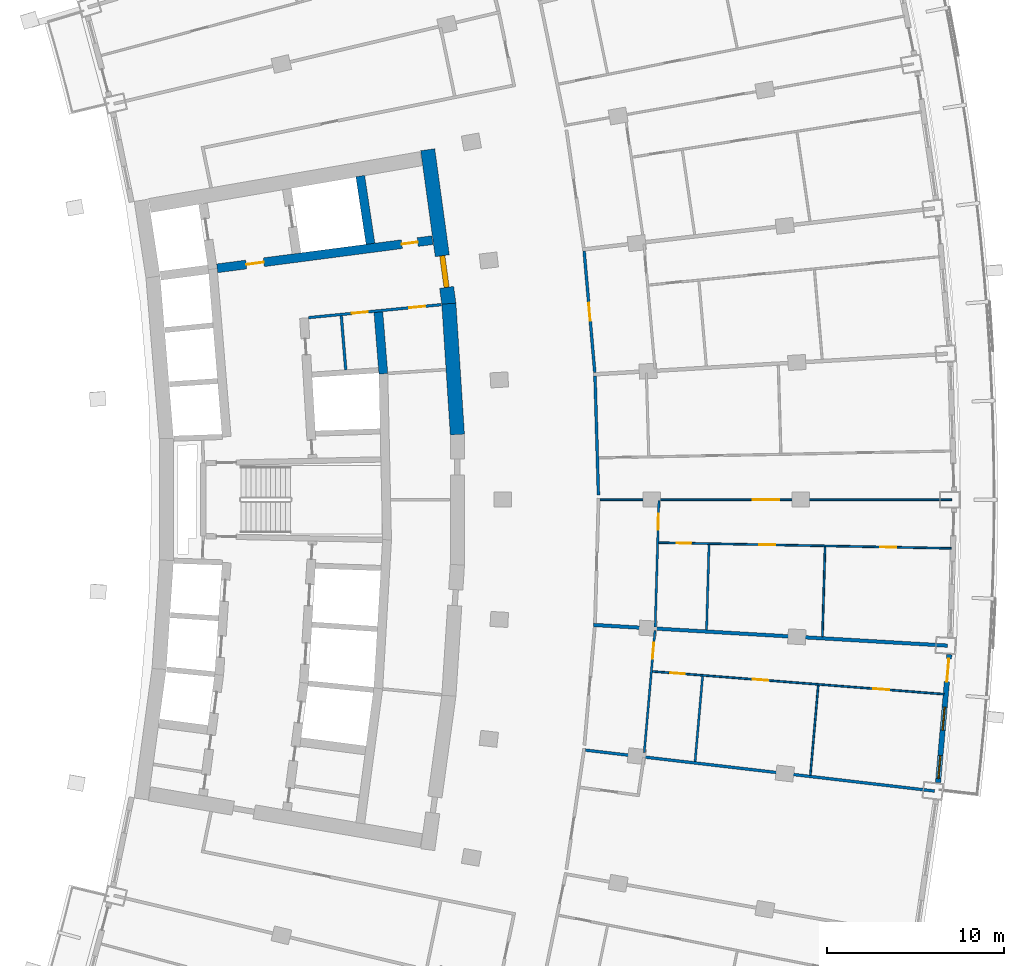
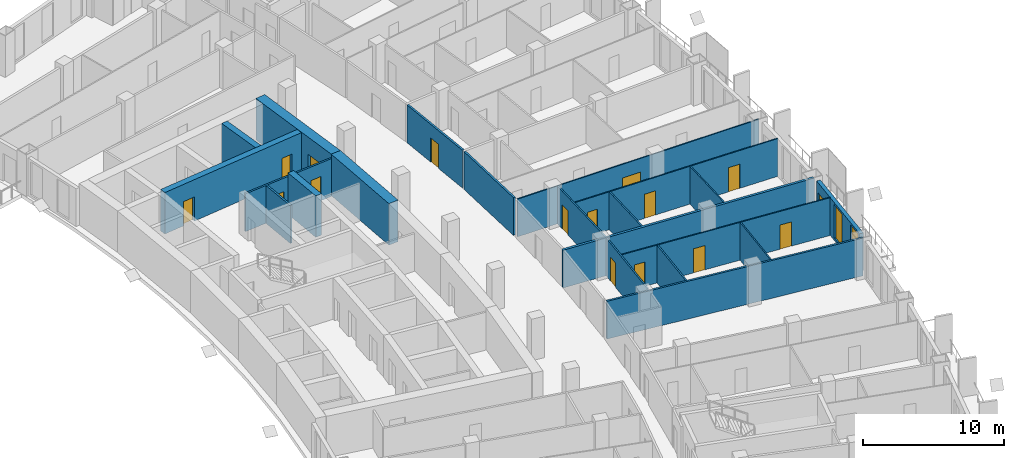
# One storey, part 17 of 25: 21 walls, 16 doors, 2 windows, 18 openings.
"""IFC4 building model written with IfcOpenShell, lengths in metres."""

from ifc_helpers import new_model, si_unit, direction, frame, frame_2d, origin, place, context, subcontext, project, spatial, rectangle, extrude, material, layer, layer_set, type_object, element, fill, save


model = new_model("IFC4")

# Units and contexts
model_context = context("Model", 3, precision=1e-05, world=origin(), true_north=direction((0.0, 1.0)))
body_context = subcontext(model_context, "Body", "Model", "MODEL_VIEW")
ifc_project = project(units=[si_unit("LENGTHUNIT", "METRE"), si_unit("AREAUNIT", "SQUARE_METRE"), si_unit("VOLUMEUNIT", "CUBIC_METRE"), si_unit("PLANEANGLEUNIT", "RADIAN"), si_unit("MASSUNIT", "GRAM", prefix="KILO")], contexts=[model_context])

# Site, building, storey
site_placement = place(None, origin())
site = spatial("IfcSite", under=ifc_project, at=site_placement, CompositionType="ELEMENT")
building_placement = place(site_placement, origin())
building = spatial("IfcBuilding", under=site, at=building_placement, Name="Alderwake Tower", CompositionType="ELEMENT")
storey_placement = place(building_placement, frame((0.0, 0.0, 111.199951171875)))
storey = spatial("IfcBuildingStorey", under=building, at=storey_placement, Name="L27", CompositionType="ELEMENT", Elevation=111.199951171875)

# Wall
ifc_material_1 = material(Name="Gypsum shaft wall system, rated")
ifc_layer_1 = layer(ifc_material_1, 0.14990234375)
ifc_layer_set_1 = layer_set([ifc_layer_1], Name="Core room partition 150")
wall_type_1 = type_object("IfcWallType", Name="Core room partition 150", PredefinedType="PARTITIONING", material=ifc_layer_set_1)
wall_1_placement = place(storey_placement, frame((26.94970703125, 68.3203125, 0.0), z_axis=(0.0, 0.0, 1.0), x_axis=(-0.082463525817, 0.996594083321, 0.0)))
element("IfcWall", 1, at=wall_1_placement, inside=storey, type_object=wall_type_1, Name="CW/L27/PA+107_+70", PredefinedType="PARTITIONING", context=body_context, shape_type="SweptSolid", body=[
    extrude(rectangle(XDim=3.055419921875, YDim=0.14990234375, at=frame_2d((1.52783203125, 0.0))), origin(), (0.0, 0.0, 1.0), 3.280029296875),
])

# Wall, openings, doors
wall_2_placement = place(storey_placement, frame((32.333251953125, 71.991943359375, 0.0), z_axis=(0.0, 0.0, 1.0), x_axis=(-0.995248348328, -0.097369015353, 0.0)))
wall_2 = element("IfcWall", 2, at=wall_2_placement, inside=storey, type_object=wall_type_1, Name="CW/L27/PR+102_+86", PredefinedType="PARTITIONING", context=body_context, shape_type="SweptSolid", body=[
    extrude(rectangle(XDim=7.51953125, YDim=0.14990234375, at=frame_2d((3.759765625, 0.0))), origin(), (0.0, 0.0, 1.0), 3.280029296875),
])
opening_1_placement = place(wall_2_placement, frame((4.169921875, 0.0, 0.0)))
opening_1 = element("IfcOpeningElement", 3, at=opening_1_placement, cuts=wall_2, Name="Opening C022", PredefinedType="OPENING", context=body_context, shape_type="SweptSolid", body=[
    extrude(rectangle(XDim=0.89990234375, YDim=2.10009765625, at=frame_2d((0.449951171875, 1.050048828125))), frame((0.0, 0.0849609375, 0.0), z_axis=(0.0, -1.0, 0.0), x_axis=(1.0, 0.0, 0.0)), (0.0, 0.0, 1.0), 0.169921875),
])
opening_2_placement = place(wall_2_placement, frame((0.919921875, 0.0, 0.0)))
opening_2 = element("IfcOpeningElement", 4, at=opening_2_placement, cuts=wall_2, Name="Opening C036", PredefinedType="OPENING", context=body_context, shape_type="SweptSolid", body=[
    extrude(rectangle(XDim=0.89990234375, YDim=2.10009765625, at=frame_2d((0.449951171875, 1.050048828125))), frame((0.0, 0.0849609375, 0.0), z_axis=(0.0, -1.0, 0.0), x_axis=(1.0, 0.0, 0.0)), (0.0, 0.0, 1.0), 0.169921875),
])
ifc_material_2 = material(Name="Painted steel leaf", Category="steel")
door_type_1 = type_object("IfcDoorType", Name="Core room door 900", OperationType="SINGLE_SWING_LEFT", PredefinedType="DOOR", material=ifc_material_2)
door_1_placement = place(opening_1_placement, origin())
door_1 = element("IfcDoor", 5, at=door_1_placement, inside=storey, type_object=door_type_1, Name="Room door", OperationType="SINGLE_SWING_RIGHT", OverallHeight=2.10009765625, OverallWidth=0.89990234375, PredefinedType="DOOR", context=body_context, shape_type="SweptSolid", body=[
    extrude(rectangle(XDim=0.89990234375, YDim=2.10009765625, at=frame_2d((0.449951171875, 1.050048828125))), frame((0.0, 0.02490234375, 0.0), z_axis=(0.0, -1.0, 0.0), x_axis=(1.0, 0.0, 0.0)), (0.0, 0.0, 1.0), 0.050048828125),
])
fill(opening_1, door_1)
door_2_placement = place(opening_2_placement, origin())
door_2 = element("IfcDoor", 6, at=door_2_placement, inside=storey, type_object=door_type_1, Name="Room door", OperationType="SINGLE_SWING_RIGHT", OverallHeight=2.10009765625, OverallWidth=0.89990234375, PredefinedType="DOOR", context=body_context, shape_type="SweptSolid", body=[
    extrude(rectangle(XDim=0.89990234375, YDim=2.10009765625, at=frame_2d((0.449951171875, 1.050048828125))), frame((0.0, 0.02490234375, 0.0), z_axis=(0.0, -1.0, 0.0), x_axis=(1.0, 0.0, 0.0)), (0.0, 0.0, 1.0), 0.050048828125),
])
fill(opening_2, door_2)

# Wall
ifc_material_3 = material(Name="Concrete C70/85", Category="concrete")
ifc_layer_2 = layer(ifc_material_3, 0.800048828125)
ifc_layer_set_2 = layer_set([ifc_layer_2], Name="Core wall outer 800 C70-85")
wall_type_2 = type_object("IfcWallType", Name="Core wall outer 800 C70-85", PredefinedType="SHEAR", material=ifc_layer_set_2)
wall_3_placement = place(storey_placement, frame((33.240966796875, 64.669677734375, 0.0), z_axis=(0.0, 0.0, 1.0), x_axis=(-0.064976219143, 0.997886812693, 0.0)))
element("IfcWall", 7, at=wall_3_placement, inside=storey, type_object=wall_type_2, Name="Core wall CW.010", PredefinedType="SHEAR", context=body_context, shape_type="SweptSolid", body=[
    extrude(rectangle(XDim=7.39453125, YDim=0.800048828125, at=frame_2d((3.697265625, 0.0))), origin(), (0.0, 0.0, 1.0), 3.60009765625),
])

# Wall, opening, door
wall_4_placement = place(storey_placement, frame((31.569580078125, 80.7265625, 0.0), z_axis=(0.0, 0.0, 1.0), x_axis=(0.135838347444, -0.990731014637, 0.0)))
wall_4 = element("IfcWall", 8, at=wall_4_placement, inside=storey, type_object=wall_type_2, Name="Core wall CW.009", PredefinedType="SHEAR", context=body_context, shape_type="SweptSolid", body=[
    extrude(rectangle(XDim=8.788818359375, YDim=0.800048828125, at=frame_2d((4.39453125, 0.0))), origin(), (0.0, 0.0, 1.0), 3.60009765625),
])
opening_3_placement = place(wall_4_placement, frame((6.032958984375, 0.0, 0.0)))
opening_3 = element("IfcOpeningElement", 9, at=opening_3_placement, cuts=wall_4, Name="Opening C001", PredefinedType="OPENING", context=body_context, shape_type="SweptSolid", body=[
    extrude(rectangle(XDim=1.800048828125, YDim=2.10009765625, at=frame_2d((0.89990234375, 1.050048828125))), frame((0.0, 0.409912109375, 0.0), z_axis=(0.0, -1.0, 0.0), x_axis=(1.0, 0.0, 0.0)), (0.0, 0.0, 1.0), 0.820068359375),
])
ifc_material_4 = material(Name="Steel-framed fire door leaves", Category="steel")
door_type_2 = type_object("IfcDoorType", Name="Core double door 1800 fire-rated", OperationType="DOUBLE_DOOR_SINGLE_SWING", PredefinedType="DOOR", material=ifc_material_4)
door_3_placement = place(opening_3_placement, origin())
door_3 = element("IfcDoor", 10, at=door_3_placement, inside=storey, type_object=door_type_2, Name="Lobby double door", OperationType="DOUBLE_DOOR_SINGLE_SWING", OverallHeight=2.10009765625, OverallWidth=1.800048828125, PredefinedType="DOOR", context=body_context, shape_type="SweptSolid", body=[
    extrude(rectangle(XDim=1.800048828125, YDim=2.10009765625, at=frame_2d((0.89990234375, 1.050048828125))), frame((0.0, 0.14990234375, 0.0), z_axis=(0.0, -1.0, 0.0), x_axis=(1.0, 0.0, 0.0)), (0.0, 0.0, 1.0), 0.300048828125),
])
fill(opening_3, door_3)

# Walls
ifc_material_5 = material(Name="Concrete C70/85", Category="concrete")
ifc_layer_3 = layer(ifc_material_5, 0.5)
ifc_layer_set_3 = layer_set([ifc_layer_3], Name="Core wall spine 500 C70-85")
wall_type_3 = type_object("IfcWallType", Name="Core wall spine 500 C70-85", PredefinedType="SHEAR", material=ifc_layer_set_3)
wall_5_placement = place(storey_placement, frame((29.069580078125, 68.094482421875, 0.0), z_axis=(0.0, 0.0, 1.0), x_axis=(-0.080877914698, 0.99672401542, 0.0)))
element("IfcWall", 11, at=wall_5_placement, inside=storey, type_object=wall_type_3, Name="Core wall CW.003", PredefinedType="SHEAR", context=body_context, shape_type="SweptSolid", body=[
    extrude(rectangle(XDim=3.486572265625, YDim=0.5, at=frame_2d((1.7431640625, 0.0))), origin(), (0.0, 0.0, 1.0), 3.60009765625),
])
wall_6_placement = place(storey_placement, frame((28.34423828125, 75.4228515625, 0.0), z_axis=(0.0, 0.0, 1.0), x_axis=(-0.14943460482, 0.988771611082, 0.0)))
element("IfcWall", 12, at=wall_6_placement, inside=storey, type_object=wall_type_3, Name="Core wall CW.001", PredefinedType="SHEAR", context=body_context, shape_type="SweptSolid", body=[
    extrude(rectangle(XDim=3.8623046875, YDim=0.5, at=frame_2d((1.93115234375, 0.0))), origin(), (0.0, 0.0, 1.0), 3.60009765625),
])

# Wall, openings, doors
wall_7_placement = place(storey_placement, frame((31.834716796875, 75.627197265625, 0.0), z_axis=(0.0, 0.0, 1.0), x_axis=(-0.991555516999, -0.129682908318, 0.0)))
wall_7 = element("IfcWall", 13, at=wall_7_placement, inside=storey, type_object=wall_type_3, Name="Core wall CW.052", PredefinedType="SHEAR", context=body_context, shape_type="SweptSolid", body=[
    extrude(rectangle(XDim=12.23681640625, YDim=0.5, at=frame_2d((6.118408203125, 0.0))), origin(), (0.0, 0.0, 1.0), 3.60009765625),
])
opening_4_placement = place(wall_7_placement, frame((9.587158203125, 0.0, 0.0)))
opening_4 = element("IfcOpeningElement", 14, at=opening_4_placement, cuts=wall_7, Name="Opening C002", PredefinedType="OPENING", context=body_context, shape_type="SweptSolid", body=[
    extrude(rectangle(XDim=1.0, YDim=2.10009765625, at=frame_2d((0.5, 1.050048828125))), frame((0.0, 0.260009765625, 0.0), z_axis=(0.0, -1.0, 0.0), x_axis=(1.0, 0.0, 0.0)), (0.0, 0.0, 1.0), 0.52001953125),
])
opening_5_placement = place(wall_7_placement, frame((0.837158203125, 0.0, 0.0)))
opening_5 = element("IfcOpeningElement", 15, at=opening_5_placement, cuts=wall_7, Name="Opening C020", PredefinedType="OPENING", context=body_context, shape_type="SweptSolid", body=[
    extrude(rectangle(XDim=0.89990234375, YDim=2.10009765625, at=frame_2d((0.449951171875, 1.050048828125))), frame((0.0, 0.260009765625, 0.0), z_axis=(0.0, -1.0, 0.0), x_axis=(1.0, 0.0, 0.0)), (0.0, 0.0, 1.0), 0.52001953125),
])
door_4_placement = place(opening_5_placement, origin())
door_4 = element("IfcDoor", 16, at=door_4_placement, inside=storey, type_object=door_type_1, Name="Room door", OperationType="SINGLE_SWING_LEFT", OverallHeight=2.10009765625, OverallWidth=0.89990234375, PredefinedType="DOOR", context=body_context, shape_type="SweptSolid", body=[
    extrude(rectangle(XDim=0.89990234375, YDim=2.10009765625, at=frame_2d((0.449951171875, 1.050048828125))), frame((0.0, 0.02490234375, 0.0), z_axis=(0.0, -1.0, 0.0), x_axis=(1.0, 0.0, 0.0)), (0.0, 0.0, 1.0), 0.050048828125),
])
fill(opening_5, door_4)
ifc_material_6 = material(Name="Steel-framed fire door leaf", Category="steel")
door_type_3 = type_object("IfcDoorType", Name="Firefighting lobby door 1000 fire-rated", OperationType="SINGLE_SWING_LEFT", PredefinedType="DOOR", material=ifc_material_6)
door_5_placement = place(opening_4_placement, origin())
door_5 = element("IfcDoor", 17, at=door_5_placement, inside=storey, type_object=door_type_3, Name="Firefighting lobby door", OperationType="SINGLE_SWING_RIGHT", OverallHeight=2.10009765625, OverallWidth=1.0, PredefinedType="DOOR", context=body_context, shape_type="SweptSolid", body=[
    extrude(rectangle(XDim=1.0, YDim=2.10009765625, at=frame_2d((0.5, 1.050048828125))), frame((0.0, 0.02490234375, 0.0), z_axis=(0.0, -1.0, 0.0), x_axis=(1.0, 0.0, 0.0)), (0.0, 0.0, 1.0), 0.050048828125),
])
fill(opening_4, door_5)

# Wall
ifc_material_7 = material(Name="Gypsum board on metal studs, rated")
ifc_layer_4 = layer(ifc_material_7, 0.159912109375)
ifc_layer_set_4 = layer_set([ifc_layer_4], Name="Corridor wall 160")
wall_type_4 = type_object("IfcWallType", Name="Corridor wall 160", PredefinedType="PARTITIONING", material=ifc_layer_set_4)
wall_8_placement = place(storey_placement, frame((40.45654296875, 46.8837890625, 0.0), z_axis=(0.0, 0.0, 1.0), x_axis=(0.993202888972, -0.116395967876, 0.0)))
element("IfcWall", 18, at=wall_8_placement, inside=storey, type_object=wall_type_4, Name="WL/L27/W38", PredefinedType="PARTITIONING", context=body_context, shape_type="SweptSolid", body=[
    extrude(rectangle(XDim=19.8193359375, YDim=0.159912109375, at=frame_2d((9.90966796875, 0.0))), origin(), (0.0, 0.0, 1.0), 3.280029296875),
])

# Wall, opening, door
wall_9_placement = place(storey_placement, frame((40.3857421875, 75.00830078125, 0.0), z_axis=(0.0, 0.0, 1.0), x_axis=(0.087448731147, -0.996169021512, 0.0)))
wall_9 = element("IfcWall", 19, at=wall_9_placement, inside=storey, type_object=wall_type_4, Name="WL/L27/W41", PredefinedType="PARTITIONING", context=body_context, shape_type="SweptSolid", body=[
    extrude(rectangle(XDim=6.867919921875, YDim=0.159912109375, at=frame_2d((3.43408203125, 0.0))), origin(), (0.0, 0.0, 1.0), 3.280029296875),
])
opening_6_placement = place(wall_9_placement, frame((2.93408203125, 0.0, 0.0)))
opening_6 = element("IfcOpeningElement", 20, at=opening_6_placement, cuts=wall_9, Name="Opening R07-U08.2", PredefinedType="OPENING", context=body_context, shape_type="SweptSolid", body=[
    extrude(rectangle(XDim=1.0, YDim=2.10009765625, at=frame_2d((0.5, 1.050048828125))), frame((0.0, 0.08984375, 0.0), z_axis=(0.0, -1.0, 0.0), x_axis=(1.0, 0.0, 0.0)), (0.0, 0.0, 1.0), 0.179931640625),
])
ifc_material_8 = material(Name="Solid timber leaf in steel frame", Category="steel")
door_type_4 = type_object("IfcDoorType", Name="Flat entrance door 1000 fire-rated", OperationType="SINGLE_SWING_LEFT", PredefinedType="DOOR", material=ifc_material_8)
door_6_placement = place(opening_6_placement, origin())
door_6 = element("IfcDoor", 21, at=door_6_placement, inside=storey, type_object=door_type_4, Name="DR/L27/U08.2", OperationType="SINGLE_SWING_LEFT", OverallHeight=2.10009765625, OverallWidth=1.0, PredefinedType="DOOR", context=body_context, shape_type="SweptSolid", body=[
    extrude(rectangle(XDim=1.0, YDim=2.10009765625, at=frame_2d((0.5, 1.050048828125))), frame((0.0, 0.02490234375, 0.0), z_axis=(0.0, -1.0, 0.0), x_axis=(1.0, 0.0, 0.0)), (0.0, 0.0, 1.0), 0.050048828125),
])
fill(opening_6, door_6)

# Wall
wall_10_placement = place(storey_placement, frame((40.997802734375, 67.967041015625, 0.0), z_axis=(0.0, 0.0, 1.0), x_axis=(0.0288778927, -0.99958294669, 0.0)))
element("IfcWall", 22, at=wall_10_placement, inside=storey, type_object=wall_type_4, Name="WL/L27/W42", PredefinedType="PARTITIONING", context=body_context, shape_type="SweptSolid", body=[
    extrude(rectangle(XDim=6.7041015625, YDim=0.159912109375, at=frame_2d((3.35205078125, 0.0))), origin(), (0.0, 0.0, 1.0), 3.280029296875),
])

# Wall, openings, door, windows
ifc_material_9 = material(Name="Precast concrete C50/60 spandrel panel", Category="concrete")
ifc_layer_5 = layer(ifc_material_9, 0.300048828125)
ifc_layer_set_5 = layer_set([ifc_layer_5], Name="External wall EW1 Precast concrete C50/60 spandrel")
wall_type_5 = type_object("IfcWallType", Name="External wall EW1 Precast concrete C50/60 spandrel", PredefinedType="SOLIDWALL", material=ifc_layer_set_5)
wall_11_placement = place(storey_placement, frame((60.33349609375, 45.05517578125, 0.0), z_axis=(0.0, 0.0, 1.0), x_axis=(0.087394900945, 0.996173745533, 0.0)))
wall_11 = element("IfcWall", 23, at=wall_11_placement, inside=storey, type_object=wall_type_5, Name="External wall 15", PredefinedType="SOLIDWALL", context=body_context, shape_type="SweptSolid", body=[
    extrude(rectangle(XDim=7.24072265625, YDim=0.300048828125, at=frame_2d((3.620361328125, 0.0))), origin(), (0.0, 0.0, 1.0), 3.280029296875),
])
opening_7_placement = place(wall_11_placement, frame((0.22900390625, 0.0, 0.199951171875)))
opening_7 = element("IfcOpeningElement", 24, at=opening_7_placement, cuts=wall_11, Name="Opening W1", PredefinedType="OPENING", context=body_context, shape_type="SweptSolid", body=[
    extrude(rectangle(XDim=1.300048828125, YDim=2.89990234375, at=frame_2d((0.64990234375, 1.449951171875))), frame((0.0, 0.159912109375, 0.0), z_axis=(0.0, -1.0, 0.0), x_axis=(1.0, 0.0, 0.0)), (0.0, 0.0, 1.0), 0.320068359375),
])
opening_8_placement = place(wall_11_placement, frame((2.970458984375, 0.0, 0.199951171875)))
opening_8 = element("IfcOpeningElement", 25, at=opening_8_placement, cuts=wall_11, Name="Opening W1", PredefinedType="OPENING", context=body_context, shape_type="SweptSolid", body=[
    extrude(rectangle(XDim=1.300048828125, YDim=2.89990234375, at=frame_2d((0.64990234375, 1.449951171875))), frame((0.0, 0.159912109375, 0.0), z_axis=(0.0, -1.0, 0.0), x_axis=(1.0, 0.0, 0.0)), (0.0, 0.0, 1.0), 0.320068359375),
])
opening_9_placement = place(wall_11_placement, frame((5.711669921875, 0.0, 0.0)))
opening_9 = element("IfcOpeningElement", 26, at=opening_9_placement, cuts=wall_11, Name="Opening D05", PredefinedType="OPENING", context=body_context, shape_type="SweptSolid", body=[
    extrude(rectangle(XDim=1.300048828125, YDim=2.39990234375, at=frame_2d((0.64990234375, 1.199951171875))), frame((0.0, 0.159912109375, 0.0), z_axis=(0.0, -1.0, 0.0), x_axis=(1.0, 0.0, 0.0)), (0.0, 0.0, 1.0), 0.320068359375),
])
ifc_material_10 = material(Name="Bronze tinted glass in aluminium frame", Category="aluminium")
door_type_5 = type_object("IfcDoorType", Name="Balcony door BD sliding", OperationType="SLIDING_TO_LEFT", PredefinedType="DOOR", material=ifc_material_10)
door_7_placement = place(opening_9_placement, origin())
door_7 = element("IfcDoor", 27, at=door_7_placement, inside=storey, type_object=door_type_5, Name="Door D05", OperationType="SLIDING_TO_LEFT", OverallHeight=2.39990234375, OverallWidth=1.300048828125, PredefinedType="DOOR", context=body_context, shape_type="SweptSolid", body=[
    extrude(rectangle(XDim=1.300048828125, YDim=2.39990234375, at=frame_2d((0.64990234375, 1.199951171875))), frame((0.0, 0.02490234375, 0.0), z_axis=(0.0, -1.0, 0.0), x_axis=(1.0, 0.0, 0.0)), (0.0, 0.0, 1.0), 0.050048828125),
])
fill(opening_9, door_7)
ifc_material_11 = material(Name="Bronze tinted glass in aluminium frame", Category="aluminium")
window_type = type_object("IfcWindowType", Name="Window W1 tall fixed and vent", PartitioningType="DOUBLE_PANEL_VERTICAL", PredefinedType="WINDOW", material=ifc_material_11)
window_1_placement = place(opening_7_placement, origin())
window_1 = element("IfcWindow", 28, at=window_1_placement, inside=storey, type_object=window_type, Name="Window W1 tall fixed and vent", OverallHeight=2.89990234375, OverallWidth=1.300048828125, PartitioningType="DOUBLE_PANEL_VERTICAL", PredefinedType="WINDOW", context=body_context, shape_type="SweptSolid", body=[
    extrude(rectangle(XDim=1.300048828125, YDim=2.89990234375, at=frame_2d((0.64990234375, 1.449951171875))), frame((0.0, 0.030029296875, 0.0), z_axis=(0.0, -1.0, 0.0), x_axis=(1.0, 0.0, 0.0)), (0.0, 0.0, 1.0), 0.06005859375),
])
fill(opening_7, window_1)
window_2_placement = place(opening_8_placement, origin())
window_2 = element("IfcWindow", 29, at=window_2_placement, inside=storey, type_object=window_type, Name="Window W1 tall fixed and vent", OverallHeight=2.89990234375, OverallWidth=1.300048828125, PartitioningType="DOUBLE_PANEL_VERTICAL", PredefinedType="WINDOW", context=body_context, shape_type="SweptSolid", body=[
    extrude(rectangle(XDim=1.300048828125, YDim=2.89990234375, at=frame_2d((0.64990234375, 1.449951171875))), frame((0.0, 0.030029296875, 0.0), z_axis=(0.0, -1.0, 0.0), x_axis=(1.0, 0.0, 0.0)), (0.0, 0.0, 1.0), 0.06005859375),
])
fill(opening_8, window_2)

# Wall
ifc_material_12 = material(Name="Dense block masonry wall", Category="masonry")
ifc_layer_6 = layer(ifc_material_12, 0.199951171875)
ifc_layer_set_6 = layer_set([ifc_layer_6], Name="Party wall 200")
wall_type_6 = type_object("IfcWallType", Name="Party wall 200", PredefinedType="SOLIDWALL", material=ifc_layer_set_6)
wall_12_placement = place(storey_placement, frame((40.9150390625, 53.938720703125, 0.0), z_axis=(0.0, 0.0, 1.0), x_axis=(0.998296381443, -0.0583466777, 0.0)))
element("IfcWall", 30, at=wall_12_placement, inside=storey, type_object=wall_type_6, Name="WL/L27/W09", PredefinedType="SOLIDWALL", context=body_context, shape_type="SweptSolid", body=[
    extrude(rectangle(XDim=19.97998046875, YDim=0.199951171875, at=frame_2d((9.989990234375, 0.0))), origin(), (0.0, 0.0, 1.0), 3.280029296875),
])

# Wall, opening, door
ifc_material_13 = material(Name="Gypsum board on metal studs")
ifc_layer_7 = layer(ifc_material_13, 0.10009765625)
ifc_layer_set_7 = layer_set([ifc_layer_7], Name="Unit partition 100")
wall_type_7 = type_object("IfcWallType", Name="Unit partition 100", PredefinedType="PARTITIONING", material=ifc_layer_set_7)
wall_13_placement = place(storey_placement, frame((41.279052734375, 60.9990234375, 0.0), z_axis=(0.0, 0.0, 1.0), x_axis=(1.0, 0.0, 0.0)))
wall_13 = element("IfcWall", 31, at=wall_13_placement, inside=storey, type_object=wall_type_7, Name="WL/L27/W75", PredefinedType="PARTITIONING", context=body_context, shape_type="SweptSolid", body=[
    extrude(rectangle(XDim=19.822021484375, YDim=0.10009765625, at=frame_2d((9.9111328125, 0.0))), origin(), (0.0, 0.0, 1.0), 3.280029296875),
])
opening_10_placement = place(wall_13_placement, frame((8.606689453125, 0.0, 0.0)))
opening_10 = element("IfcOpeningElement", 32, at=opening_10_placement, cuts=wall_13, Name="Opening R07-U07.9", PredefinedType="OPENING", context=body_context, shape_type="SweptSolid", body=[
    extrude(rectangle(XDim=1.5, YDim=2.10009765625, at=frame_2d((0.75, 1.050048828125))), frame((0.0, 0.06005859375, 0.0), z_axis=(0.0, -1.0, 0.0), x_axis=(1.0, 0.0, 0.0)), (0.0, 0.0, 1.0), 0.1201171875),
])
ifc_material_14 = material(Name="Painted timber leaves", Category="wood")
door_type_6 = type_object("IfcDoorType", Name="Double leaf door 1500", OperationType="DOUBLE_DOOR_SINGLE_SWING", PredefinedType="DOOR", material=ifc_material_14)
door_8_placement = place(opening_10_placement, origin())
door_8 = element("IfcDoor", 33, at=door_8_placement, inside=storey, type_object=door_type_6, Name="DR/L27/U07.9", OperationType="DOUBLE_DOOR_SINGLE_SWING", OverallHeight=2.10009765625, OverallWidth=1.5, PredefinedType="DOOR", context=body_context, shape_type="SweptSolid", body=[
    extrude(rectangle(XDim=1.5, YDim=2.10009765625, at=frame_2d((0.75, 1.050048828125))), frame((0.0, 0.02490234375, 0.0), z_axis=(0.0, -1.0, 0.0), x_axis=(1.0, 0.0, 0.0)), (0.0, 0.0, 1.0), 0.050048828125),
])
fill(opening_10, door_8)

# Wall, openings, doors
wall_14_placement = place(storey_placement, frame((60.6689453125, 50.037109375, 0.0), z_axis=(0.0, 0.0, 1.0), x_axis=(-0.996970078833, 0.077786000743, 0.0)))
wall_14 = element("IfcWall", 34, at=wall_14_placement, inside=storey, type_object=wall_type_7, Name="WL/L27/W78", PredefinedType="PARTITIONING", context=body_context, shape_type="SweptSolid", body=[
    extrude(rectangle(XDim=16.484130859375, YDim=0.10009765625, at=frame_2d((8.2421875, 0.0))), origin(), (0.0, 0.0, 1.0), 3.280029296875),
])
opening_11_placement = place(wall_14_placement, frame((9.92431640625, 0.0, 0.0)))
opening_11 = element("IfcOpeningElement", 35, at=opening_11_placement, cuts=wall_14, Name="Opening R07-U06.1", PredefinedType="OPENING", context=body_context, shape_type="SweptSolid", body=[
    extrude(rectangle(XDim=0.89990234375, YDim=2.10009765625, at=frame_2d((0.449951171875, 1.050048828125))), frame((0.0, 0.06005859375, 0.0), z_axis=(0.0, -1.0, 0.0), x_axis=(1.0, 0.0, 0.0)), (0.0, 0.0, 1.0), 0.1201171875),
])
opening_12_placement = place(wall_14_placement, frame((14.663818359375, 0.0, 0.0)))
opening_12 = element("IfcOpeningElement", 36, at=opening_12_placement, cuts=wall_14, Name="Opening R07-U06.4", PredefinedType="OPENING", context=body_context, shape_type="SweptSolid", body=[
    extrude(rectangle(XDim=0.800048828125, YDim=2.10009765625, at=frame_2d((0.39990234375, 1.050048828125))), frame((0.0, 0.06005859375, 0.0), z_axis=(0.0, -1.0, 0.0), x_axis=(1.0, 0.0, 0.0)), (0.0, 0.0, 1.0), 0.1201171875),
])
opening_13_placement = place(wall_14_placement, frame((3.102294921875, 0.0, 0.0)))
opening_13 = element("IfcOpeningElement", 37, at=opening_13_placement, cuts=wall_14, Name="Opening R07-U06.5", PredefinedType="OPENING", context=body_context, shape_type="SweptSolid", body=[
    extrude(rectangle(XDim=0.89990234375, YDim=2.10009765625, at=frame_2d((0.449951171875, 1.050048828125))), frame((0.0, 0.06005859375, 0.0), z_axis=(0.0, -1.0, 0.0), x_axis=(1.0, 0.0, 0.0)), (0.0, 0.0, 1.0), 0.1201171875),
])
ifc_material_15 = material(Name="Painted timber leaf", Category="wood")
door_type_7 = type_object("IfcDoorType", Name="Bathroom door 800", OperationType="SINGLE_SWING_LEFT", PredefinedType="DOOR", material=ifc_material_15)
door_9_placement = place(opening_12_placement, origin())
door_9 = element("IfcDoor", 38, at=door_9_placement, inside=storey, type_object=door_type_7, Name="DR/L27/U06.4", OperationType="SINGLE_SWING_LEFT", OverallHeight=2.10009765625, OverallWidth=0.800048828125, PredefinedType="DOOR", context=body_context, shape_type="SweptSolid", body=[
    extrude(rectangle(XDim=0.800048828125, YDim=2.10009765625, at=frame_2d((0.39990234375, 1.050048828125))), frame((0.0, 0.02490234375, 0.0), z_axis=(0.0, -1.0, 0.0), x_axis=(1.0, 0.0, 0.0)), (0.0, 0.0, 1.0), 0.050048828125),
])
fill(opening_12, door_9)
ifc_material_16 = material(Name="Painted timber leaf", Category="wood")
door_type_8 = type_object("IfcDoorType", Name="Room door 900", OperationType="SINGLE_SWING_LEFT", PredefinedType="DOOR", material=ifc_material_16)
door_10_placement = place(opening_11_placement, origin())
door_10 = element("IfcDoor", 39, at=door_10_placement, inside=storey, type_object=door_type_8, Name="DR/L27/U06.1", OperationType="SINGLE_SWING_LEFT", OverallHeight=2.10009765625, OverallWidth=0.89990234375, PredefinedType="DOOR", context=body_context, shape_type="SweptSolid", body=[
    extrude(rectangle(XDim=0.89990234375, YDim=2.10009765625, at=frame_2d((0.449951171875, 1.050048828125))), frame((0.0, 0.02490234375, 0.0), z_axis=(0.0, -1.0, 0.0), x_axis=(1.0, 0.0, 0.0)), (0.0, 0.0, 1.0), 0.050048828125),
])
fill(opening_11, door_10)
door_11_placement = place(opening_13_placement, origin())
door_11 = element("IfcDoor", 40, at=door_11_placement, inside=storey, type_object=door_type_8, Name="DR/L27/U06.5", OperationType="SINGLE_SWING_LEFT", OverallHeight=2.10009765625, OverallWidth=0.89990234375, PredefinedType="DOOR", context=body_context, shape_type="SweptSolid", body=[
    extrude(rectangle(XDim=0.89990234375, YDim=2.10009765625, at=frame_2d((0.449951171875, 1.050048828125))), frame((0.0, 0.02490234375, 0.0), z_axis=(0.0, -1.0, 0.0), x_axis=(1.0, 0.0, 0.0)), (0.0, 0.0, 1.0), 0.050048828125),
])
fill(opening_13, door_11)

wall_15_placement = place(storey_placement, frame((61.071044921875, 58.257080078125, 0.0), z_axis=(0.0, 0.0, 1.0), x_axis=(-0.999811785207, 0.019400880442, 0.0)))
wall_15 = element("IfcWall", 41, at=wall_15_placement, inside=storey, type_object=wall_type_7, Name="WL/L27/W79", PredefinedType="PARTITIONING", context=body_context, shape_type="SweptSolid", body=[
    extrude(rectangle(XDim=16.485107421875, YDim=0.10009765625, at=frame_2d((8.24267578125, 0.0))), origin(), (0.0, 0.0, 1.0), 3.280029296875),
])
opening_14_placement = place(wall_15_placement, frame((9.92626953125, 0.0, 0.0)))
opening_14 = element("IfcOpeningElement", 42, at=opening_14_placement, cuts=wall_15, Name="Opening R07-U07.1", PredefinedType="OPENING", context=body_context, shape_type="SweptSolid", body=[
    extrude(rectangle(XDim=0.89990234375, YDim=2.10009765625, at=frame_2d((0.449951171875, 1.050048828125))), frame((0.0, 0.06005859375, 0.0), z_axis=(0.0, -1.0, 0.0), x_axis=(1.0, 0.0, 0.0)), (0.0, 0.0, 1.0), 0.1201171875),
])
opening_15_placement = place(wall_15_placement, frame((14.66552734375, 0.0, 0.0)))
opening_15 = element("IfcOpeningElement", 43, at=opening_15_placement, cuts=wall_15, Name="Opening R07-U07.4", PredefinedType="OPENING", context=body_context, shape_type="SweptSolid", body=[
    extrude(rectangle(XDim=0.800048828125, YDim=2.10009765625, at=frame_2d((0.39990234375, 1.050048828125))), frame((0.0, 0.06005859375, 0.0), z_axis=(0.0, -1.0, 0.0), x_axis=(1.0, 0.0, 0.0)), (0.0, 0.0, 1.0), 0.1201171875),
])
opening_16_placement = place(wall_15_placement, frame((3.10400390625, 0.0, 0.0)))
opening_16 = element("IfcOpeningElement", 44, at=opening_16_placement, cuts=wall_15, Name="Opening R07-U07.5", PredefinedType="OPENING", context=body_context, shape_type="SweptSolid", body=[
    extrude(rectangle(XDim=0.89990234375, YDim=2.10009765625, at=frame_2d((0.449951171875, 1.050048828125))), frame((0.0, 0.06005859375, 0.0), z_axis=(0.0, -1.0, 0.0), x_axis=(1.0, 0.0, 0.0)), (0.0, 0.0, 1.0), 0.1201171875),
])
door_12_placement = place(opening_15_placement, origin())
door_12 = element("IfcDoor", 45, at=door_12_placement, inside=storey, type_object=door_type_7, Name="DR/L27/U07.4", OperationType="SINGLE_SWING_LEFT", OverallHeight=2.10009765625, OverallWidth=0.800048828125, PredefinedType="DOOR", context=body_context, shape_type="SweptSolid", body=[
    extrude(rectangle(XDim=0.800048828125, YDim=2.10009765625, at=frame_2d((0.39990234375, 1.050048828125))), frame((0.0, 0.02490234375, 0.0), z_axis=(0.0, -1.0, 0.0), x_axis=(1.0, 0.0, 0.0)), (0.0, 0.0, 1.0), 0.050048828125),
])
fill(opening_15, door_12)
door_13_placement = place(opening_14_placement, origin())
door_13 = element("IfcDoor", 46, at=door_13_placement, inside=storey, type_object=door_type_8, Name="DR/L27/U07.1", OperationType="SINGLE_SWING_LEFT", OverallHeight=2.10009765625, OverallWidth=0.89990234375, PredefinedType="DOOR", context=body_context, shape_type="SweptSolid", body=[
    extrude(rectangle(XDim=0.89990234375, YDim=2.10009765625, at=frame_2d((0.449951171875, 1.050048828125))), frame((0.0, 0.02490234375, 0.0), z_axis=(0.0, -1.0, 0.0), x_axis=(1.0, 0.0, 0.0)), (0.0, 0.0, 1.0), 0.050048828125),
])
fill(opening_14, door_13)
door_14_placement = place(opening_16_placement, origin())
door_14 = element("IfcDoor", 47, at=door_14_placement, inside=storey, type_object=door_type_8, Name="DR/L27/U07.5", OperationType="SINGLE_SWING_LEFT", OverallHeight=2.10009765625, OverallWidth=0.89990234375, PredefinedType="DOOR", context=body_context, shape_type="SweptSolid", body=[
    extrude(rectangle(XDim=0.89990234375, YDim=2.10009765625, at=frame_2d((0.449951171875, 1.050048828125))), frame((0.0, 0.02490234375, 0.0), z_axis=(0.0, -1.0, 0.0), x_axis=(1.0, 0.0, 0.0)), (0.0, 0.0, 1.0), 0.050048828125),
])
fill(opening_16, door_14)

# Walls
wall_16_placement = place(storey_placement, frame((53.136962890625, 45.4755859375, 0.0), z_axis=(0.0, 0.0, 1.0), x_axis=(0.087460675888, 0.996167972871, 0.0)))
element("IfcWall", 48, at=wall_16_placement, inside=storey, type_object=wall_type_7, Name="WL/L27/W87", PredefinedType="PARTITIONING", context=body_context, shape_type="SweptSolid", body=[
    extrude(rectangle(XDim=5.083251953125, YDim=0.10009765625, at=frame_2d((2.54150390625, 0.0))), origin(), (0.0, 0.0, 1.0), 3.280029296875),
])
wall_17_placement = place(storey_placement, frame((53.81689453125, 53.283935546875, 0.0), z_axis=(0.0, 0.0, 1.0), x_axis=(0.02936504444, 0.999568754096, 0.0)))
element("IfcWall", 49, at=wall_17_placement, inside=storey, type_object=wall_type_7, Name="WL/L27/W89", PredefinedType="PARTITIONING", context=body_context, shape_type="SweptSolid", body=[
    extrude(rectangle(XDim=5.063232421875, YDim=0.10009765625, at=frame_2d((2.53173828125, 0.0))), origin(), (0.0, 0.0, 1.0), 3.280029296875),
])

# Wall, opening, door
ifc_material_17 = material(Name="Moisture resistant gypsum board on metal studs")
ifc_layer_8 = layer(ifc_material_17, 0.1201171875)
ifc_layer_set_8 = layer_set([ifc_layer_8], Name="Wet room partition 120")
wall_type_8 = type_object("IfcWallType", Name="Wet room partition 120", PredefinedType="PARTITIONING", material=ifc_layer_set_8)
wall_18_placement = place(storey_placement, frame((44.379150390625, 53.63623046875, 0.0), z_axis=(0.0, 0.0, 1.0), x_axis=(-0.087502350371, -0.996164313093, 0.0)))
wall_18 = element("IfcWall", 50, at=wall_18_placement, inside=storey, type_object=wall_type_8, Name="WL/L27/W57", PredefinedType="PARTITIONING", context=body_context, shape_type="SweptSolid", body=[
    extrude(rectangle(XDim=6.916748046875, YDim=0.1201171875, at=frame_2d((3.45849609375, 0.0))), origin(), (0.0, 0.0, 1.0), 3.280029296875),
])
opening_17_placement = place(wall_18_placement, frame((0.711181640625, 0.0, 0.0)))
opening_17 = element("IfcOpeningElement", 51, at=opening_17_placement, cuts=wall_18, Name="Opening R07-U06.3", PredefinedType="OPENING", context=body_context, shape_type="SweptSolid", body=[
    extrude(rectangle(XDim=0.89990234375, YDim=2.10009765625, at=frame_2d((0.449951171875, 1.050048828125))), frame((0.0, 0.070068359375, 0.0), z_axis=(0.0, -1.0, 0.0), x_axis=(1.0, 0.0, 0.0)), (0.0, 0.0, 1.0), 0.14013671875),
])
door_15_placement = place(opening_17_placement, origin())
door_15 = element("IfcDoor", 52, at=door_15_placement, inside=storey, type_object=door_type_8, Name="DR/L27/U06.3", OperationType="SINGLE_SWING_LEFT", OverallHeight=2.10009765625, OverallWidth=0.89990234375, PredefinedType="DOOR", context=body_context, shape_type="SweptSolid", body=[
    extrude(rectangle(XDim=0.89990234375, YDim=2.10009765625, at=frame_2d((0.449951171875, 1.050048828125))), frame((0.0, 0.02490234375, 0.0), z_axis=(0.0, -1.0, 0.0), x_axis=(1.0, 0.0, 0.0)), (0.0, 0.0, 1.0), 0.050048828125),
])
fill(opening_17, door_15)

wall_19_placement = place(storey_placement, frame((44.599609375, 60.948974609375, 0.0), z_axis=(0.0, 0.0, 1.0), x_axis=(-0.029333519004, -0.999569679744, 0.0)))
wall_19 = element("IfcWall", 53, at=wall_19_placement, inside=storey, type_object=wall_type_8, Name="WL/L27/W60", PredefinedType="PARTITIONING", context=body_context, shape_type="SweptSolid", body=[
    extrude(rectangle(XDim=7.1162109375, YDim=0.1201171875, at=frame_2d((3.55810546875, 0.0))), origin(), (0.0, 0.0, 1.0), 3.280029296875),
])
opening_18_placement = place(wall_19_placement, frame((0.735595703125, 0.0, 0.0)))
opening_18 = element("IfcOpeningElement", 54, at=opening_18_placement, cuts=wall_19, Name="Opening R07-U07.3", PredefinedType="OPENING", context=body_context, shape_type="SweptSolid", body=[
    extrude(rectangle(XDim=0.89990234375, YDim=2.10009765625, at=frame_2d((0.449951171875, 1.050048828125))), frame((0.0, 0.070068359375, 0.0), z_axis=(0.0, -1.0, 0.0), x_axis=(1.0, 0.0, 0.0)), (0.0, 0.0, 1.0), 0.14013671875),
])
door_16_placement = place(opening_18_placement, origin())
door_16 = element("IfcDoor", 55, at=door_16_placement, inside=storey, type_object=door_type_8, Name="DR/L27/U07.3", OperationType="SINGLE_SWING_LEFT", OverallHeight=2.10009765625, OverallWidth=0.89990234375, PredefinedType="DOOR", context=body_context, shape_type="SweptSolid", body=[
    extrude(rectangle(XDim=0.89990234375, YDim=2.10009765625, at=frame_2d((0.449951171875, 1.050048828125))), frame((0.0, 0.02490234375, 0.0), z_axis=(0.0, -1.0, 0.0), x_axis=(1.0, 0.0, 0.0)), (0.0, 0.0, 1.0), 0.050048828125),
])
fill(opening_18, door_16)

# Walls
wall_20_placement = place(storey_placement, frame((46.638916015625, 46.23779296875, 0.0), z_axis=(0.0, 0.0, 1.0), x_axis=(0.087753579095, 0.996142213419, 0.0)))
element("IfcWall", 56, at=wall_20_placement, inside=storey, type_object=wall_type_8, Name="WL/L27/W63", PredefinedType="PARTITIONING", context=body_context, shape_type="SweptSolid", body=[
    extrude(rectangle(XDim=4.826904296875, YDim=0.1201171875, at=frame_2d((2.41357421875, 0.0))), origin(), (0.0, 0.0, 1.0), 3.280029296875),
])
wall_21_placement = place(storey_placement, frame((47.285888671875, 53.66796875, 0.0), z_axis=(0.0, 0.0, 1.0), x_axis=(0.029063100448, 0.999577578876, 0.0)))
element("IfcWall", 57, at=wall_21_placement, inside=storey, type_object=wall_type_8, Name="WL/L27/W65", PredefinedType="PARTITIONING", context=body_context, shape_type="SweptSolid", body=[
    extrude(rectangle(XDim=4.804931640625, YDim=0.1201171875, at=frame_2d((2.40234375, 0.0))), origin(), (0.0, 0.0, 1.0), 3.280029296875),
])

save(model, "model.ifc")
